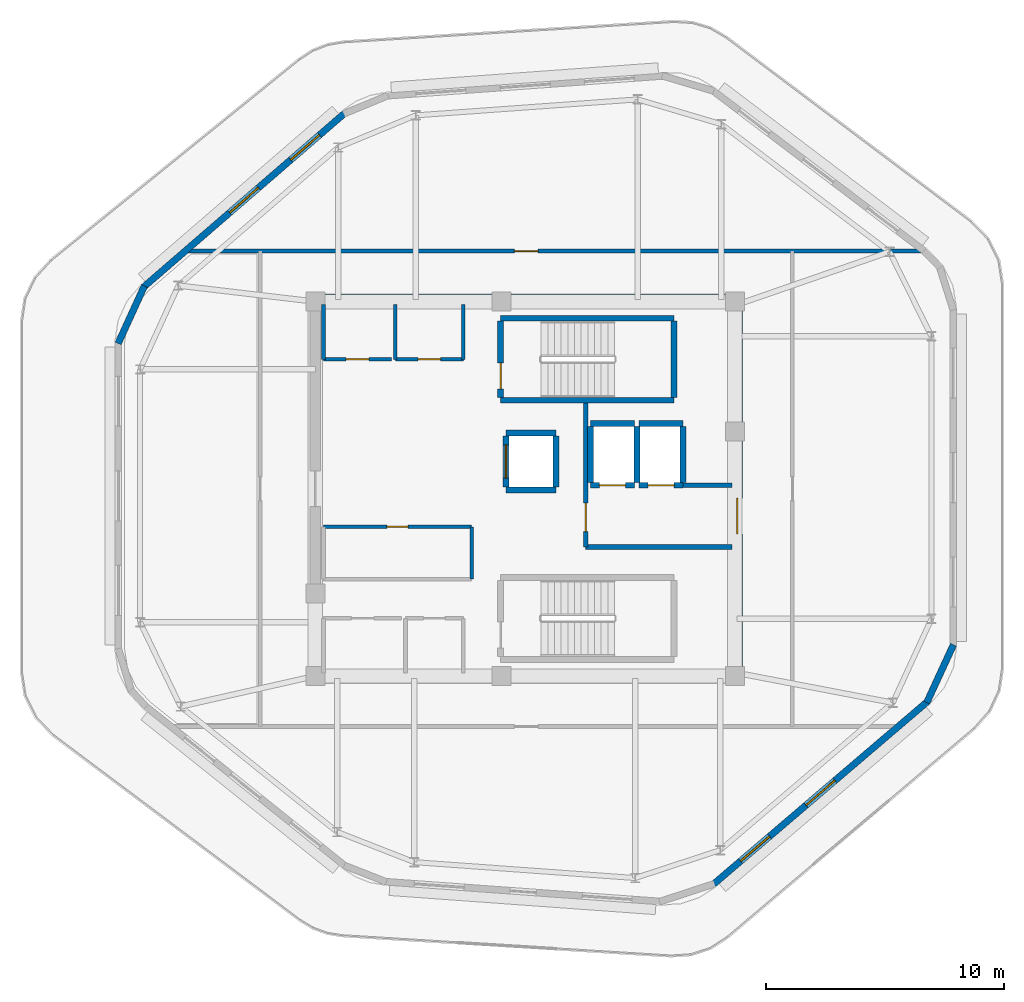
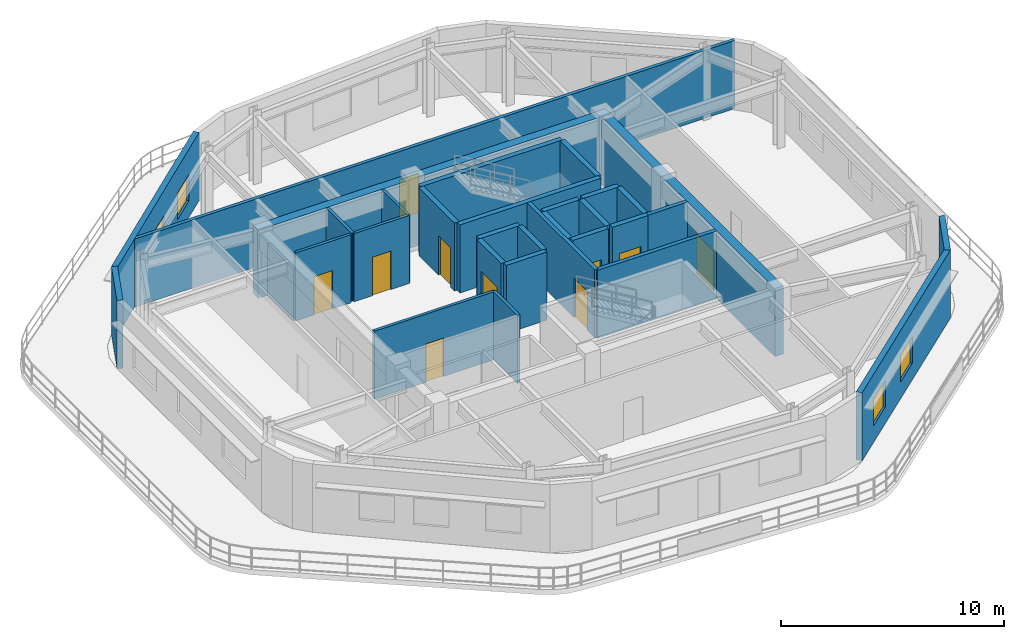
# One storey, part 3 of 7: 32 walls, 10 doors, 4 windows, 14 openings.
"""IFC4 building model written with IfcOpenShell, lengths in metres."""

from ifc_helpers import new_model, si_unit, direction, frame, frame_2d, origin, place, context, subcontext, project, spatial, rectangle, extrude, material, layer, layer_set, type_object, element, fill, save


model = new_model("IFC4")

# Units and contexts
model_context = context("Model", 3, precision=1e-05, world=origin(), true_north=direction((0.0, 1.0)))
body_context = subcontext(model_context, "Body", "Model", "MODEL_VIEW")
ifc_project = project(units=[si_unit("LENGTHUNIT", "METRE"), si_unit("AREAUNIT", "SQUARE_METRE"), si_unit("VOLUMEUNIT", "CUBIC_METRE"), si_unit("PLANEANGLEUNIT", "RADIAN"), si_unit("MASSUNIT", "GRAM", prefix="KILO")], contexts=[model_context])

# Site, building, storey
site_placement = place(None, origin())
site = spatial("IfcSite", under=ifc_project, at=site_placement, CompositionType="ELEMENT")
building_placement = place(site_placement, origin())
building = spatial("IfcBuilding", under=site, at=building_placement, Name="Zulverin Broadcast Headquarters", CompositionType="ELEMENT")
storey_placement = place(building_placement, frame((0.0, 0.0, 321.39990234375)))
storey = spatial("IfcBuildingStorey", under=building, at=storey_placement, Name="C3", CompositionType="ELEMENT", Elevation=321.39990234375)

# Wall
ifc_material_1 = material(Name="Concrete C50/60", Category="concrete")
ifc_layer_1 = layer(ifc_material_1, 0.449951171875, Name="Concrete C50/60", Category="concrete")
ifc_layer_set_1 = layer_set([ifc_layer_1], Name="Concrete C50/60")
wall_type_1 = type_object("IfcWallType", Name="WL-CORE-450", PredefinedType="SHEAR", material=ifc_layer_set_1)
wall_1_placement = place(storey_placement, frame((30.39990234375, 33.175048828125, 0.0), z_axis=(0.0, 0.0, 1.0), x_axis=(1.0, 0.0, 0.0)))
element("IfcWall", 1, at=wall_1_placement, inside=storey, type_object=wall_type_1, Name="C3 Core North Shear Wall", PredefinedType="SHEAR", context=body_context, shape_type="SweptSolid", body=[
    extrude(rectangle(XDim=18.2001953125, YDim=0.449951171875, at=frame_2d((9.10009765625, 0.0))), origin(), (0.0, 0.0, 1.0), 3.72021484375),
])

# Wall, opening, door
wall_2_placement = place(storey_placement, frame((48.375, 17.449951171875, 0.0), z_axis=(0.0, 0.0, 1.0), x_axis=(0.0, 1.0, 0.0)))
wall_2 = element("IfcWall", 2, at=wall_2_placement, inside=storey, type_object=wall_type_1, Name="C3 Core East Shear Wall", PredefinedType="SHEAR", context=body_context, shape_type="SweptSolid", body=[
    extrude(rectangle(XDim=15.5, YDim=0.449951171875, at=frame_2d((7.75, 0.0))), origin(), (0.0, 0.0, 1.0), 3.72021484375),
])
opening_1_placement = place(wall_2_placement, frame((5.85009765625, 0.0, 0.0)))
opening_1 = element("IfcOpeningElement", 3, at=opening_1_placement, cuts=wall_2, Name="Opening D-C3-CE1", PredefinedType="OPENING", context=body_context, shape_type="SweptSolid", body=[
    extrude(rectangle(XDim=1.5, YDim=2.14990234375, at=frame_2d((0.75, 1.074951171875))), frame((0.0, 0.23486328125, 0.0), z_axis=(0.0, -1.0, 0.0), x_axis=(1.0, 0.0, 0.0)), (0.0, 0.0, 1.0), 0.469970703125),
])
ifc_material_2 = material(Name="Fire-rated glazed steel frame", Category="steel")
door_type_1 = type_object("IfcDoorType", Name="DR-COR-1500", OperationType="DOUBLE_DOOR_SINGLE_SWING", PredefinedType="DOOR", material=ifc_material_2)
door_1_placement = place(opening_1_placement, origin())
door_1 = element("IfcDoor", 4, at=door_1_placement, inside=storey, type_object=door_type_1, Name="C3 Firefighting Lobby East Corridor Door", OperationType="DOUBLE_DOOR_SINGLE_SWING", OverallHeight=2.14990234375, OverallWidth=1.5, PredefinedType="DOOR", context=body_context, shape_type="SweptSolid", body=[
    extrude(rectangle(XDim=1.5, YDim=2.14990234375, at=frame_2d((0.75, 1.074951171875))), frame((0.0, 0.02490234375, 0.0), z_axis=(0.0, -1.0, 0.0), x_axis=(1.0, 0.0, 0.0)), (0.0, 0.0, 1.0), 0.050048828125),
])
fill(opening_1, door_1)

# Wall, openings, windows
ifc_material_3 = material(Name="Insulated pale-metal clad concrete spandrel C40/50", Category="concrete")
ifc_layer_2 = layer(ifc_material_3, 0.280029296875, Name="Insulated pale-metal clad concrete spandrel C40/50", Category="concrete")
ifc_layer_set_2 = layer_set([ifc_layer_2], Name="Insulated pale-metal clad concrete spandrel C40/50")
wall_type_2 = type_object("IfcWallType", Name="WL-EXT-280", PredefinedType="STANDARD", material=ifc_layer_set_2)
wall_3_placement = place(storey_placement, frame((47.371337890625, 8.558349609375, 0.0), z_axis=(0.0, 0.0, 1.0), x_axis=(0.760637685394, 0.649176641261, 0.0)))
wall_3 = element("IfcWall", 5, at=wall_3_placement, inside=storey, type_object=wall_type_2, Name="C3 Pale-Metal Clad Spandrel Wall 2", PredefinedType="STANDARD", context=body_context, shape_type="SweptSolid", body=[
    extrude(rectangle(XDim=11.85205078125, YDim=0.280029296875, at=frame_2d((5.926025390625, 0.0))), origin(), (0.0, 0.0, 1.0), 3.72021484375),
])
opening_2_placement = place(wall_3_placement, frame((1.5087890625, 0.0, 0.89990234375)))
opening_2 = element("IfcOpeningElement", 6, at=opening_2_placement, cuts=wall_3, Name="Opening W-C3-E21", PredefinedType="OPENING", context=body_context, shape_type="SweptSolid", body=[
    extrude(rectangle(XDim=1.60009765625, YDim=1.449951171875, at=frame_2d((0.800048828125, 0.72509765625))), frame((0.0, 0.14990234375, 0.0), z_axis=(0.0, -1.0, 0.0), x_axis=(1.0, 0.0, 0.0)), (0.0, 0.0, 1.0), 0.300048828125),
])
opening_3_placement = place(wall_3_placement, frame((5.1259765625, 0.0, 0.89990234375)))
opening_3 = element("IfcOpeningElement", 7, at=opening_3_placement, cuts=wall_3, Name="Opening W-C3-E22", PredefinedType="OPENING", context=body_context, shape_type="SweptSolid", body=[
    extrude(rectangle(XDim=1.60009765625, YDim=1.449951171875, at=frame_2d((0.800048828125, 0.72509765625))), frame((0.0, 0.14990234375, 0.0), z_axis=(0.0, -1.0, 0.0), x_axis=(1.0, 0.0, 0.0)), (0.0, 0.0, 1.0), 0.300048828125),
])
ifc_material_4 = material(Name="Pale anodized aluminium frame with solar-control low-E double glazing", Category="aluminium")
window_type = type_object("IfcWindowType", Name="WIN-CRN-1600", PartitioningType="SINGLE_PANEL", PredefinedType="WINDOW", material=ifc_material_4)
window_1_placement = place(opening_2_placement, origin())
window_1 = element("IfcWindow", 8, at=window_1_placement, inside=storey, type_object=window_type, Name="C3 Ribbon Glazing Window 2 1", OverallHeight=1.449951171875, OverallWidth=1.60009765625, PartitioningType="SINGLE_PANEL", PredefinedType="WINDOW", context=body_context, shape_type="SweptSolid", body=[
    extrude(rectangle(XDim=1.60009765625, YDim=1.449951171875, at=frame_2d((0.800048828125, 0.72509765625))), frame((0.0, 0.030029296875, 0.0), z_axis=(0.0, -1.0, 0.0), x_axis=(1.0, 0.0, 0.0)), (0.0, 0.0, 1.0), 0.06005859375),
])
fill(opening_2, window_1)
window_2_placement = place(opening_3_placement, origin())
window_2 = element("IfcWindow", 9, at=window_2_placement, inside=storey, type_object=window_type, Name="C3 Ribbon Glazing Window 2 2", OverallHeight=1.449951171875, OverallWidth=1.60009765625, PartitioningType="SINGLE_PANEL", PredefinedType="WINDOW", context=body_context, shape_type="SweptSolid", body=[
    extrude(rectangle(XDim=1.60009765625, YDim=1.449951171875, at=frame_2d((0.800048828125, 0.72509765625))), frame((0.0, 0.030029296875, 0.0), z_axis=(0.0, -1.0, 0.0), x_axis=(1.0, 0.0, 0.0)), (0.0, 0.0, 1.0), 0.06005859375),
])
fill(opening_3, window_2)

wall_4_placement = place(storey_placement, frame((31.85595703125, 40.999267578125, 0.0), z_axis=(0.0, 0.0, 1.0), x_axis=(-0.756468872678, -0.654029697085, 0.0)))
wall_4 = element("IfcWall", 10, at=wall_4_placement, inside=storey, type_object=wall_type_2, Name="C3 Pale-Metal Clad Spandrel Wall 6", PredefinedType="STANDARD", context=body_context, shape_type="SweptSolid", body=[
    extrude(rectangle(XDim=11.179931640625, YDim=0.280029296875, at=frame_2d((5.58984375, 0.0))), origin(), (0.0, 0.0, 1.0), 3.72021484375),
])
opening_4_placement = place(wall_4_placement, frame((1.396728515625, 0.0, 0.89990234375)))
opening_4 = element("IfcOpeningElement", 11, at=opening_4_placement, cuts=wall_4, Name="Opening W-C3-E61", PredefinedType="OPENING", context=body_context, shape_type="SweptSolid", body=[
    extrude(rectangle(XDim=1.60009765625, YDim=1.449951171875, at=frame_2d((0.800048828125, 0.72509765625))), frame((0.0, 0.14990234375, 0.0), z_axis=(0.0, -1.0, 0.0), x_axis=(1.0, 0.0, 0.0)), (0.0, 0.0, 1.0), 0.300048828125),
])
opening_5_placement = place(wall_4_placement, frame((4.7900390625, 0.0, 0.89990234375)))
opening_5 = element("IfcOpeningElement", 12, at=opening_5_placement, cuts=wall_4, Name="Opening W-C3-E62", PredefinedType="OPENING", context=body_context, shape_type="SweptSolid", body=[
    extrude(rectangle(XDim=1.60009765625, YDim=1.449951171875, at=frame_2d((0.800048828125, 0.72509765625))), frame((0.0, 0.14990234375, 0.0), z_axis=(0.0, -1.0, 0.0), x_axis=(1.0, 0.0, 0.0)), (0.0, 0.0, 1.0), 0.300048828125),
])
window_3_placement = place(opening_4_placement, origin())
window_3 = element("IfcWindow", 13, at=window_3_placement, inside=storey, type_object=window_type, Name="C3 Ribbon Glazing Window 6 1", OverallHeight=1.449951171875, OverallWidth=1.60009765625, PartitioningType="SINGLE_PANEL", PredefinedType="WINDOW", context=body_context, shape_type="SweptSolid", body=[
    extrude(rectangle(XDim=1.60009765625, YDim=1.449951171875, at=frame_2d((0.800048828125, 0.72509765625))), frame((0.0, 0.030029296875, 0.0), z_axis=(0.0, -1.0, 0.0), x_axis=(1.0, 0.0, 0.0)), (0.0, 0.0, 1.0), 0.06005859375),
])
fill(opening_4, window_3)
window_4_placement = place(opening_5_placement, origin())
window_4 = element("IfcWindow", 14, at=window_4_placement, inside=storey, type_object=window_type, Name="C3 Ribbon Glazing Window 6 2", OverallHeight=1.449951171875, OverallWidth=1.60009765625, PartitioningType="SINGLE_PANEL", PredefinedType="WINDOW", context=body_context, shape_type="SweptSolid", body=[
    extrude(rectangle(XDim=1.60009765625, YDim=1.449951171875, at=frame_2d((0.800048828125, 0.72509765625))), frame((0.0, 0.030029296875, 0.0), z_axis=(0.0, -1.0, 0.0), x_axis=(1.0, 0.0, 0.0)), (0.0, 0.0, 1.0), 0.06005859375),
])
fill(opening_5, window_4)

# Walls
wall_5_placement = place(storey_placement, frame((56.35009765625, 16.20458984375, 0.0), z_axis=(0.0, 0.0, 1.0), x_axis=(0.418902215131, 0.908031350868, 0.0)))
element("IfcWall", 15, at=wall_5_placement, inside=storey, type_object=wall_type_2, Name="C3 Wind-Shaped Corner Spandrel Wall 2-1", PredefinedType="STANDARD", context=body_context, shape_type="SweptSolid", body=[
    extrude(rectangle(XDim=2.680419921875, YDim=0.280029296875, at=frame_2d((1.34033203125, 0.0))), origin(), (0.0, 0.0, 1.0), 3.72021484375),
])
wall_6_placement = place(storey_placement, frame((23.434326171875, 33.735107421875, 0.0), z_axis=(0.0, 0.0, 1.0), x_axis=(-0.415833452509, -0.909440784094, 0.0)))
element("IfcWall", 16, at=wall_6_placement, inside=storey, type_object=wall_type_2, Name="C3 Wind-Shaped Corner Spandrel Wall 6-1", PredefinedType="STANDARD", context=body_context, shape_type="SweptSolid", body=[
    extrude(rectangle(XDim=2.661865234375, YDim=0.280029296875, at=frame_2d((1.3310546875, 0.0))), origin(), (0.0, 0.0, 1.0), 3.72021484375),
])

# Wall, opening, door
ifc_material_5 = material(Name="Concrete C40/50", Category="concrete")
ifc_layer_3 = layer(ifc_material_5, 0.199951171875, Name="Concrete C40/50", Category="concrete")
ifc_layer_set_3 = layer_set([ifc_layer_3], Name="Concrete C40/50")
wall_type_3 = type_object("IfcWallType", Name="WL-FFL-200", PredefinedType="SOLIDWALL", material=ifc_layer_set_3)
wall_7_placement = place(storey_placement, frame((42.0, 22.75, 0.0), z_axis=(0.0, 0.0, 1.0), x_axis=(0.0, 1.0, 0.0)))
wall_7 = element("IfcWall", 17, at=wall_7_placement, inside=storey, type_object=wall_type_3, Name="C3 Firefighting Lift Lobby West Wall", PredefinedType="SOLIDWALL", context=body_context, shape_type="SweptSolid", body=[
    extrude(rectangle(XDim=6.050048828125, YDim=0.199951171875, at=frame_2d((3.02490234375, 0.0))), origin(), (0.0, 0.0, 1.0), 3.72021484375),
])
opening_6_placement = place(wall_7_placement, frame((0.64990234375, 0.0, 0.0)))
opening_6 = element("IfcOpeningElement", 18, at=opening_6_placement, cuts=wall_7, Name="Opening D-C3-FFLW", PredefinedType="OPENING", context=body_context, shape_type="SweptSolid", body=[
    extrude(rectangle(XDim=1.199951171875, YDim=2.14990234375, at=frame_2d((0.60009765625, 1.074951171875))), frame((0.0, 0.10986328125, 0.0), z_axis=(0.0, -1.0, 0.0), x_axis=(1.0, 0.0, 0.0)), (0.0, 0.0, 1.0), 0.219970703125),
])
ifc_material_6 = material(Name="Fire-rated steel leaf and frame", Category="steel")
door_type_2 = type_object("IfcDoorType", Name="DR-FFL-1200", OperationType="SINGLE_SWING_RIGHT", PredefinedType="DOOR", material=ifc_material_6)
door_2_placement = place(opening_6_placement, origin())
door_2 = element("IfcDoor", 19, at=door_2_placement, inside=storey, type_object=door_type_2, Name="C3 Firefighting Lift Lobby Door", OperationType="SINGLE_SWING_RIGHT", OverallHeight=2.14990234375, OverallWidth=1.199951171875, PredefinedType="DOOR", context=body_context, shape_type="SweptSolid", body=[
    extrude(rectangle(XDim=1.199951171875, YDim=2.14990234375, at=frame_2d((0.60009765625, 1.074951171875))), frame((0.0, 0.02490234375, 0.0), z_axis=(0.0, -1.0, 0.0), x_axis=(1.0, 0.0, 0.0)), (0.0, 0.0, 1.0), 0.050048828125),
])
fill(opening_6, door_2)

# Walls
wall_8_placement = place(storey_placement, frame((42.0, 22.75, 0.0), z_axis=(0.0, 0.0, 1.0), x_axis=(1.0, 0.0, 0.0)))
element("IfcWall", 20, at=wall_8_placement, inside=storey, type_object=wall_type_3, Name="C3 Firefighting Lift Lobby South Wall", PredefinedType="SOLIDWALL", context=body_context, shape_type="SweptSolid", body=[
    extrude(rectangle(XDim=6.14990234375, YDim=0.199951171875, at=frame_2d((3.074951171875, 0.0))), origin(), (0.0, 0.0, 1.0), 3.72021484375),
])
wall_9_placement = place(storey_placement, frame((46.10009765625, 25.35009765625, 0.0), z_axis=(0.0, 0.0, 1.0), x_axis=(1.0, 0.0, 0.0)))
element("IfcWall", 21, at=wall_9_placement, inside=storey, type_object=wall_type_3, Name="C3 Firefighting Lift Lobby North Wall", PredefinedType="SOLIDWALL", context=body_context, shape_type="SweptSolid", body=[
    extrude(rectangle(XDim=2.0498046875, YDim=0.199951171875, at=frame_2d((1.02490234375, 0.0))), origin(), (0.0, 0.0, 1.0), 3.72021484375),
])

# Wall, opening, door
ifc_material_7 = material(Name="Fire-rated gypsum stud partition", Category="gypsum")
ifc_layer_4 = layer(ifc_material_7, 0.14990234375, Name="Fire-rated gypsum stud partition", Category="gypsum")
ifc_layer_set_4 = layer_set([ifc_layer_4], Name="Fire-rated gypsum stud partition")
wall_type_4 = type_object("IfcWallType", Name="WL-PART-150", PredefinedType="PARTITIONING", material=ifc_layer_set_4)
wall_10_placement = place(storey_placement, frame((30.969970703125, 30.64990234375, 0.0), z_axis=(0.0, 0.0, 1.0), x_axis=(1.0, 0.0, 0.0)))
wall_10 = element("IfcWall", 22, at=wall_10_placement, inside=storey, type_object=wall_type_4, Name="C3 Core Male WC Front Wall", PredefinedType="PARTITIONING", context=body_context, shape_type="SweptSolid", body=[
    extrude(rectangle(XDim=2.860107421875, YDim=0.14990234375, at=frame_2d((1.43017578125, 0.0))), origin(), (0.0, 0.0, 1.0), 3.72021484375),
])
opening_7_placement = place(wall_10_placement, frame((0.955078125, 0.0, 0.0)))
opening_7 = element("IfcOpeningElement", 23, at=opening_7_placement, cuts=wall_10, Name="Opening D-C3-NC1", PredefinedType="OPENING", context=body_context, shape_type="SweptSolid", body=[
    extrude(rectangle(XDim=0.949951171875, YDim=2.10009765625, at=frame_2d((0.47509765625, 1.050048828125))), frame((0.0, 0.0849609375, 0.0), z_axis=(0.0, -1.0, 0.0), x_axis=(1.0, 0.0, 0.0)), (0.0, 0.0, 1.0), 0.169921875),
])
ifc_material_8 = material(Name="Fire-rated moisture-resistant laminate leaf", Category="wood")
door_type_3 = type_object("IfcDoorType", Name="DR-WC-950", OperationType="SINGLE_SWING_LEFT", PredefinedType="DOOR", material=ifc_material_8)
door_3_placement = place(opening_7_placement, origin())
door_3 = element("IfcDoor", 24, at=door_3_placement, inside=storey, type_object=door_type_3, Name="C3 Male WC Door", OperationType="SINGLE_SWING_LEFT", OverallHeight=2.10009765625, OverallWidth=0.949951171875, PredefinedType="DOOR", context=body_context, shape_type="SweptSolid", body=[
    extrude(rectangle(XDim=0.949951171875, YDim=2.10009765625, at=frame_2d((0.47509765625, 1.050048828125))), frame((0.0, 0.02490234375, 0.0), z_axis=(0.0, -1.0, 0.0), x_axis=(1.0, 0.0, 0.0)), (0.0, 0.0, 1.0), 0.050048828125),
])
fill(opening_7, door_3)

# Wall
wall_11_placement = place(storey_placement, frame((30.969970703125, 30.64990234375, 0.0), z_axis=(0.0, 0.0, 1.0), x_axis=(0.0, 1.0, 0.0)))
element("IfcWall", 25, at=wall_11_placement, inside=storey, type_object=wall_type_4, Name="C3 Core Male WC West Wall", PredefinedType="PARTITIONING", context=body_context, shape_type="SweptSolid", body=[
    extrude(rectangle(XDim=2.300048828125, YDim=0.14990234375, at=frame_2d((1.14990234375, 0.0))), origin(), (0.0, 0.0, 1.0), 2.820068359375),
])

# Wall, opening, door
wall_12_placement = place(storey_placement, frame((33.989990234375, 30.64990234375, 0.0), z_axis=(0.0, 0.0, 1.0), x_axis=(1.0, 0.0, 0.0)))
wall_12 = element("IfcWall", 26, at=wall_12_placement, inside=storey, type_object=wall_type_4, Name="C3 Core Accessible WC Front Wall", PredefinedType="PARTITIONING", context=body_context, shape_type="SweptSolid", body=[
    extrude(rectangle(XDim=2.860107421875, YDim=0.14990234375, at=frame_2d((1.43017578125, 0.0))), origin(), (0.0, 0.0, 1.0), 3.72021484375),
])
opening_8_placement = place(wall_12_placement, frame((0.955078125, 0.0, 0.0)))
opening_8 = element("IfcOpeningElement", 27, at=opening_8_placement, cuts=wall_12, Name="Opening D-C3-NC2", PredefinedType="OPENING", context=body_context, shape_type="SweptSolid", body=[
    extrude(rectangle(XDim=0.949951171875, YDim=2.10009765625, at=frame_2d((0.47509765625, 1.050048828125))), frame((0.0, 0.0849609375, 0.0), z_axis=(0.0, -1.0, 0.0), x_axis=(1.0, 0.0, 0.0)), (0.0, 0.0, 1.0), 0.169921875),
])
door_4_placement = place(opening_8_placement, origin())
door_4 = element("IfcDoor", 28, at=door_4_placement, inside=storey, type_object=door_type_3, Name="C3 Accessible WC Door", OperationType="SINGLE_SWING_RIGHT", OverallHeight=2.10009765625, OverallWidth=0.949951171875, PredefinedType="DOOR", context=body_context, shape_type="SweptSolid", body=[
    extrude(rectangle(XDim=0.949951171875, YDim=2.10009765625, at=frame_2d((0.47509765625, 1.050048828125))), frame((0.0, 0.02490234375, 0.0), z_axis=(0.0, -1.0, 0.0), x_axis=(1.0, 0.0, 0.0)), (0.0, 0.0, 1.0), 0.050048828125),
])
fill(opening_8, door_4)

# Walls
for number, where, z_axis, x_axis, name in (
    (29, (33.989990234375, 30.64990234375, 0.0), (0.0, 0.0, 1.0), (0.0, 1.0, 0.0), "C3 Core Accessible WC West Wall"),
    (30, (36.85009765625, 30.64990234375, 0.0), (0.0, 0.0, 1.0), (0.0, 1.0, 0.0), "C3 Core Accessible WC East Wall"),
):
    element("IfcWall", number, at=place(storey_placement, frame(where, z_axis=z_axis, x_axis=x_axis)), inside=storey, type_object=wall_type_4, Name=name, PredefinedType="PARTITIONING", context=body_context, shape_type="SweptSolid", body=[
        extrude(rectangle(XDim=2.300048828125, YDim=0.14990234375, at=frame_2d((1.14990234375, 0.0))), origin(), (0.0, 0.0, 1.0), 3.72021484375),
    ])

# Wall, opening, door
wall_13_placement = place(storey_placement, frame((30.969970703125, 23.60009765625, 0.0), z_axis=(0.0, 0.0, 1.0), x_axis=(1.0, 0.0, 0.0)))
wall_13 = element("IfcWall", 31, at=wall_13_placement, inside=storey, type_object=wall_type_4, Name="C3 Optical Telemetry Hub Plant Room N Wall", PredefinedType="PARTITIONING", context=body_context, shape_type="SweptSolid", body=[
    extrude(rectangle(XDim=6.22998046875, YDim=0.14990234375, at=frame_2d((3.114990234375, 0.0))), origin(), (0.0, 0.0, 1.0), 3.72021484375),
])
opening_9_placement = place(wall_13_placement, frame((2.6650390625, 0.0, 0.0)))
opening_9 = element("IfcOpeningElement", 32, at=opening_9_placement, cuts=wall_13, Name="Opening D-C3-RM1", PredefinedType="OPENING", context=body_context, shape_type="SweptSolid", body=[
    extrude(rectangle(XDim=0.89990234375, YDim=2.10009765625, at=frame_2d((0.449951171875, 1.050048828125))), frame((0.0, 0.0849609375, 0.0), z_axis=(0.0, -1.0, 0.0), x_axis=(1.0, 0.0, 0.0)), (0.0, 0.0, 1.0), 0.169921875),
])
ifc_material_9 = material(Name="Powder-coated steel access leaf", Category="steel")
door_type_4 = type_object("IfcDoorType", Name="DR-RISER-900", OperationType="SINGLE_SWING_LEFT", PredefinedType="DOOR", material=ifc_material_9)
door_5_placement = place(opening_9_placement, origin())
door_5 = element("IfcDoor", 33, at=door_5_placement, inside=storey, type_object=door_type_4, Name="C3 Optical Telemetry Hub Plant Room Door", OperationType="SINGLE_SWING_LEFT", OverallHeight=2.10009765625, OverallWidth=0.89990234375, PredefinedType="DOOR", context=body_context, shape_type="SweptSolid", body=[
    extrude(rectangle(XDim=0.89990234375, YDim=2.10009765625, at=frame_2d((0.449951171875, 1.050048828125))), frame((0.0, 0.02490234375, 0.0), z_axis=(0.0, -1.0, 0.0), x_axis=(1.0, 0.0, 0.0)), (0.0, 0.0, 1.0), 0.050048828125),
])
fill(opening_9, door_5)

# Wall
wall_14_placement = place(storey_placement, frame((37.199951171875, 21.39990234375, 0.0), z_axis=(0.0, 0.0, 1.0), x_axis=(0.0, 1.0, 0.0)))
element("IfcWall", 34, at=wall_14_placement, inside=storey, type_object=wall_type_4, Name="C3 Optical Telemetry Hub Plant Room E Wall", PredefinedType="PARTITIONING", context=body_context, shape_type="SweptSolid", body=[
    extrude(rectangle(XDim=2.2001953125, YDim=0.14990234375, at=frame_2d((1.10009765625, 0.0))), origin(), (0.0, 0.0, 1.0), 3.72021484375),
])

# Wall, opening, door
ifc_material_10 = material(Name="Fire-rated acoustic stud wall", Category="gypsum")
ifc_layer_5 = layer(ifc_material_10, 0.175048828125, Name="Fire-rated acoustic stud wall", Category="gypsum")
ifc_layer_set_5 = layer_set([ifc_layer_5], Name="Fire-rated acoustic stud wall")
wall_type_5 = type_object("IfcWallType", Name="WL-PART-175", PredefinedType="PARTITIONING", material=ifc_layer_set_5)
wall_15_placement = place(storey_placement, frame((25.07421875, 35.199951171875, 0.0), z_axis=(0.0, 0.0, 1.0), x_axis=(1.0, 0.0, 0.0)))
wall_15 = element("IfcWall", 35, at=wall_15_placement, inside=storey, type_object=wall_type_5, Name="C3 Gallery Partition Wall CG-04", PredefinedType="PARTITIONING", context=body_context, shape_type="SweptSolid", body=[
    extrude(rectangle(XDim=31.228271484375, YDim=0.175048828125, at=frame_2d((15.6142578125, 0.0))), origin(), (0.0, 0.0, 1.0), 3.72021484375),
])
opening_10_placement = place(wall_15_placement, frame((13.92578125, 0.0, 0.0)))
opening_10 = element("IfcOpeningElement", 36, at=opening_10_placement, cuts=wall_15, Name="Opening D-C3-CR3", PredefinedType="OPENING", context=body_context, shape_type="SweptSolid", body=[
    extrude(rectangle(XDim=1.0, YDim=2.1201171875, at=frame_2d((0.5, 1.06005859375))), frame((0.0, 0.097412109375, 0.0), z_axis=(0.0, -1.0, 0.0), x_axis=(1.0, 0.0, 0.0)), (0.0, 0.0, 1.0), 0.195068359375),
])
ifc_material_11 = material(Name="Hardwood veneer acoustic leaf", Category="wood")
door_type_5 = type_object("IfcDoorType", Name="DR-OFF-1000", OperationType="SINGLE_SWING_LEFT", PredefinedType="DOOR", material=ifc_material_11)
door_6_placement = place(opening_10_placement, origin())
door_6 = element("IfcDoor", 37, at=door_6_placement, inside=storey, type_object=door_type_5, Name="C3 Crown Cooling & Chiller Plant Room Door", OperationType="SINGLE_SWING_RIGHT", OverallHeight=2.1201171875, OverallWidth=1.0, PredefinedType="DOOR", context=body_context, shape_type="SweptSolid", body=[
    extrude(rectangle(XDim=1.0, YDim=2.1201171875, at=frame_2d((0.5, 1.06005859375))), frame((0.0, 0.02490234375, 0.0), z_axis=(0.0, -1.0, 0.0), x_axis=(1.0, 0.0, 0.0)), (0.0, 0.0, 1.0), 0.050048828125),
])
fill(opening_10, door_6)

# Walls
ifc_layer_6 = layer(ifc_material_1, 0.25, Name="Concrete C50/60", Category="concrete")
ifc_layer_set_6 = layer_set([ifc_layer_6], Name="Concrete C50/60")
wall_type_6 = type_object("IfcWallType", Name="WL-SHAFT-250", PredefinedType="SHEAR", material=ifc_layer_set_6)
for number, where, z_axis, x_axis, name in (
    (38, (38.425048828125, 28.925048828125, 0.0), (0.0, 0.0, 1.0), (1.0, 0.0, 0.0), "C3 ST-1 Enclosure Wall S"),
    (39, (38.425048828125, 32.375, 0.0), (0.0, 0.0, 1.0), (1.0, 0.0, 0.0), "C3 ST-1 Enclosure Wall N"),
):
    element("IfcWall", number, at=place(storey_placement, frame(where, z_axis=z_axis, x_axis=x_axis)), inside=storey, type_object=wall_type_6, Name=name, PredefinedType="SHEAR", context=body_context, shape_type="SweptSolid", body=[
        extrude(rectangle(XDim=7.300048828125, YDim=0.25, at=frame_2d((3.64990234375, 0.0))), origin(), (0.0, 0.0, 1.0), 3.72021484375),
    ])

# Wall, opening, door
wall_16_placement = place(storey_placement, frame((38.425048828125, 29.050048828125, 0.0), z_axis=(0.0, 0.0, 1.0), x_axis=(0.0, 1.0, 0.0)))
wall_16 = element("IfcWall", 40, at=wall_16_placement, inside=storey, type_object=wall_type_6, Name="C3 ST-1 Enclosure Wall W", PredefinedType="SHEAR", context=body_context, shape_type="SweptSolid", body=[
    extrude(rectangle(XDim=3.199951171875, YDim=0.25, at=frame_2d((1.60009765625, 0.0))), origin(), (0.0, 0.0, 1.0), 3.72021484375),
])
opening_11_placement = place(wall_16_placement, frame((0.35009765625, 0.0, 0.0)))
opening_11 = element("IfcOpeningElement", 41, at=opening_11_placement, cuts=wall_16, Name="Opening D-C3-ST-1", PredefinedType="OPENING", context=body_context, shape_type="SweptSolid", body=[
    extrude(rectangle(XDim=1.10009765625, YDim=2.14990234375, at=frame_2d((0.550048828125, 1.074951171875))), frame((0.0, 0.135009765625, 0.0), z_axis=(0.0, -1.0, 0.0), x_axis=(1.0, 0.0, 0.0)), (0.0, 0.0, 1.0), 0.27001953125),
])
door_type_6 = type_object("IfcDoorType", Name="DR-STAIR-1100", OperationType="SINGLE_SWING_LEFT", PredefinedType="DOOR", material=ifc_material_6)
door_7_placement = place(opening_11_placement, origin())
door_7 = element("IfcDoor", 42, at=door_7_placement, inside=storey, type_object=door_type_6, Name="C3 Exit Stair ST-1 Fire Door", OperationType="SINGLE_SWING_LEFT", OverallHeight=2.14990234375, OverallWidth=1.10009765625, PredefinedType="DOOR", context=body_context, shape_type="SweptSolid", body=[
    extrude(rectangle(XDim=1.10009765625, YDim=2.14990234375, at=frame_2d((0.550048828125, 1.074951171875))), frame((0.0, 0.02490234375, 0.0), z_axis=(0.0, -1.0, 0.0), x_axis=(1.0, 0.0, 0.0)), (0.0, 0.0, 1.0), 0.050048828125),
])
fill(opening_11, door_7)

# Wall
wall_17_placement = place(storey_placement, frame((45.72509765625, 29.050048828125, 0.0), z_axis=(0.0, 0.0, 1.0), x_axis=(0.0, 1.0, 0.0)))
element("IfcWall", 43, at=wall_17_placement, inside=storey, type_object=wall_type_6, Name="C3 ST-1 Enclosure Wall E", PredefinedType="SHEAR", context=body_context, shape_type="SweptSolid", body=[
    extrude(rectangle(XDim=3.199951171875, YDim=0.25, at=frame_2d((1.60009765625, 0.0))), origin(), (0.0, 0.0, 1.0), 3.72021484375),
])

# Wall, opening, door
wall_18_placement = place(storey_placement, frame((42.199951171875, 25.35009765625, 0.0), z_axis=(0.0, 0.0, 1.0), x_axis=(1.0, 0.0, 0.0)))
wall_18 = element("IfcWall", 44, at=wall_18_placement, inside=storey, type_object=wall_type_6, Name="C3 Lift FFL-1 Shaft Wall S", PredefinedType="SHEAR", context=body_context, shape_type="SweptSolid", body=[
    extrude(rectangle(XDim=1.85009765625, YDim=0.25, at=frame_2d((0.925048828125, 0.0))), origin(), (0.0, 0.0, 1.0), 3.72021484375),
])
opening_12_placement = place(wall_18_placement, frame((0.375, 0.0, 0.0)))
opening_12 = element("IfcOpeningElement", 45, at=opening_12_placement, cuts=wall_18, Name="Opening LD-FFL-1-C3", PredefinedType="OPENING", context=body_context, shape_type="SweptSolid", body=[
    extrude(rectangle(XDim=1.10009765625, YDim=2.14990234375, at=frame_2d((0.550048828125, 1.074951171875))), frame((0.0, 0.135009765625, 0.0), z_axis=(0.0, -1.0, 0.0), x_axis=(1.0, 0.0, 0.0)), (0.0, 0.0, 1.0), 0.27001953125),
])
ifc_material_12 = material(Name="Fire-rated stainless landing door", Category="steel")
door_type_7 = type_object("IfcDoorType", Name="LD-FFL-1100", OperationType="DOUBLE_DOOR_SLIDING", PredefinedType="DOOR", material=ifc_material_12)
door_8_placement = place(opening_12_placement, origin())
door_8 = element("IfcDoor", 46, at=door_8_placement, inside=storey, type_object=door_type_7, Name="C3 Lift FFL-1 Sliding Landing Door", OperationType="DOUBLE_DOOR_SLIDING", OverallHeight=2.14990234375, OverallWidth=1.10009765625, PredefinedType="DOOR", context=body_context, shape_type="SweptSolid", body=[
    extrude(rectangle(XDim=1.10009765625, YDim=2.14990234375, at=frame_2d((0.550048828125, 1.074951171875))), frame((0.0, 0.02490234375, 0.0), z_axis=(0.0, -1.0, 0.0), x_axis=(1.0, 0.0, 0.0)), (0.0, 0.0, 1.0), 0.050048828125),
])
fill(opening_12, door_8)

# Walls
wall_19_placement = place(storey_placement, frame((42.199951171875, 27.949951171875, 0.0), z_axis=(0.0, 0.0, 1.0), x_axis=(1.0, 0.0, 0.0)))
element("IfcWall", 47, at=wall_19_placement, inside=storey, type_object=wall_type_6, Name="C3 Lift FFL-1 Shaft Wall N", PredefinedType="SHEAR", context=body_context, shape_type="SweptSolid", body=[
    extrude(rectangle(XDim=1.85009765625, YDim=0.25, at=frame_2d((0.925048828125, 0.0))), origin(), (0.0, 0.0, 1.0), 3.72021484375),
])
for number, where, z_axis, x_axis, name in (
    (48, (42.199951171875, 25.469970703125, 0.0), (0.0, 0.0, 1.0), (0.0, 1.0, 0.0), "C3 Lift FFL-1 Shaft Wall W"),
    (49, (44.14990234375, 25.469970703125, 0.0), (0.0, 0.0, 1.0), (0.0, 1.0, 0.0), "C3 Lift FFL-1 Shaft Wall E"),
):
    element("IfcWall", number, at=place(storey_placement, frame(where, z_axis=z_axis, x_axis=x_axis)), inside=storey, type_object=wall_type_6, Name=name, PredefinedType="SHEAR", context=body_context, shape_type="SweptSolid", body=[
        extrude(rectangle(XDim=2.360107421875, YDim=0.25, at=frame_2d((1.18017578125, 0.0))), origin(), (0.0, 0.0, 1.0), 3.72021484375),
    ])

# Wall, opening, door
wall_20_placement = place(storey_placement, frame((44.25, 25.35009765625, 0.0), z_axis=(0.0, 0.0, 1.0), x_axis=(1.0, 0.0, 0.0)))
wall_20 = element("IfcWall", 50, at=wall_20_placement, inside=storey, type_object=wall_type_6, Name="C3 Lift FFL-2 Shaft Wall S", PredefinedType="SHEAR", context=body_context, shape_type="SweptSolid", body=[
    extrude(rectangle(XDim=1.85009765625, YDim=0.25, at=frame_2d((0.925048828125, 0.0))), origin(), (0.0, 0.0, 1.0), 3.72021484375),
])
opening_13_placement = place(wall_20_placement, frame((0.375, 0.0, 0.0)))
opening_13 = element("IfcOpeningElement", 51, at=opening_13_placement, cuts=wall_20, Name="Opening LD-FFL-2-C3", PredefinedType="OPENING", context=body_context, shape_type="SweptSolid", body=[
    extrude(rectangle(XDim=1.10009765625, YDim=2.14990234375, at=frame_2d((0.550048828125, 1.074951171875))), frame((0.0, 0.135009765625, 0.0), z_axis=(0.0, -1.0, 0.0), x_axis=(1.0, 0.0, 0.0)), (0.0, 0.0, 1.0), 0.27001953125),
])
door_9_placement = place(opening_13_placement, origin())
door_9 = element("IfcDoor", 52, at=door_9_placement, inside=storey, type_object=door_type_7, Name="C3 Lift FFL-2 Sliding Landing Door", OperationType="DOUBLE_DOOR_SLIDING", OverallHeight=2.14990234375, OverallWidth=1.10009765625, PredefinedType="DOOR", context=body_context, shape_type="SweptSolid", body=[
    extrude(rectangle(XDim=1.10009765625, YDim=2.14990234375, at=frame_2d((0.550048828125, 1.074951171875))), frame((0.0, 0.02490234375, 0.0), z_axis=(0.0, -1.0, 0.0), x_axis=(1.0, 0.0, 0.0)), (0.0, 0.0, 1.0), 0.050048828125),
])
fill(opening_13, door_9)

# Walls
wall_21_placement = place(storey_placement, frame((44.25, 27.949951171875, 0.0), z_axis=(0.0, 0.0, 1.0), x_axis=(1.0, 0.0, 0.0)))
element("IfcWall", 53, at=wall_21_placement, inside=storey, type_object=wall_type_6, Name="C3 Lift FFL-2 Shaft Wall N", PredefinedType="SHEAR", context=body_context, shape_type="SweptSolid", body=[
    extrude(rectangle(XDim=1.85009765625, YDim=0.25, at=frame_2d((0.925048828125, 0.0))), origin(), (0.0, 0.0, 1.0), 3.72021484375),
])
wall_22_placement = place(storey_placement, frame((46.10009765625, 25.469970703125, 0.0), z_axis=(0.0, 0.0, 1.0), x_axis=(0.0, 1.0, 0.0)))
element("IfcWall", 54, at=wall_22_placement, inside=storey, type_object=wall_type_6, Name="C3 Lift FFL-2 Shaft Wall E", PredefinedType="SHEAR", context=body_context, shape_type="SweptSolid", body=[
    extrude(rectangle(XDim=2.360107421875, YDim=0.25, at=frame_2d((1.18017578125, 0.0))), origin(), (0.0, 0.0, 1.0), 3.72021484375),
])
for number, where, z_axis, x_axis, name in (
    (55, (38.64990234375, 25.14990234375, 0.0), (0.0, 0.0, 1.0), (1.0, 0.0, 0.0), "C3 Lift SVL-1 Shaft Wall S"),
    (56, (38.64990234375, 27.550048828125, 0.0), (0.0, 0.0, 1.0), (1.0, 0.0, 0.0), "C3 Lift SVL-1 Shaft Wall N"),
):
    element("IfcWall", number, at=place(storey_placement, frame(where, z_axis=z_axis, x_axis=x_axis)), inside=storey, type_object=wall_type_6, Name=name, PredefinedType="SHEAR", context=body_context, shape_type="SweptSolid", body=[
        extrude(rectangle(XDim=2.10009765625, YDim=0.25, at=frame_2d((1.050048828125, 0.0))), origin(), (0.0, 0.0, 1.0), 3.72021484375),
    ])

# Wall, opening, door
wall_23_placement = place(storey_placement, frame((38.64990234375, 25.27001953125, 0.0), z_axis=(0.0, 0.0, 1.0), x_axis=(0.0, 1.0, 0.0)))
wall_23 = element("IfcWall", 57, at=wall_23_placement, inside=storey, type_object=wall_type_6, Name="C3 Lift SVL-1 Shaft Wall W", PredefinedType="SHEAR", context=body_context, shape_type="SweptSolid", body=[
    extrude(rectangle(XDim=2.159912109375, YDim=0.25, at=frame_2d((1.080078125, 0.0))), origin(), (0.0, 0.0, 1.0), 3.72021484375),
])
opening_14_placement = place(wall_23_placement, frame((0.3798828125, 0.0, 0.0)))
opening_14 = element("IfcOpeningElement", 58, at=opening_14_placement, cuts=wall_23, Name="Opening LD-SVL-1-C3", PredefinedType="OPENING", context=body_context, shape_type="SweptSolid", body=[
    extrude(rectangle(XDim=1.39990234375, YDim=2.199951171875, at=frame_2d((0.699951171875, 1.10009765625))), frame((0.0, 0.135009765625, 0.0), z_axis=(0.0, -1.0, 0.0), x_axis=(1.0, 0.0, 0.0)), (0.0, 0.0, 1.0), 0.27001953125),
])
ifc_material_13 = material(Name="Heavy-duty stainless landing door", Category="steel")
door_type_8 = type_object("IfcDoorType", Name="LD-GOODS-1400", OperationType="DOUBLE_DOOR_SLIDING", PredefinedType="DOOR", material=ifc_material_13)
door_10_placement = place(opening_14_placement, origin())
door_10 = element("IfcDoor", 59, at=door_10_placement, inside=storey, type_object=door_type_8, Name="C3 Lift SVL-1 Sliding Landing Door", OperationType="DOUBLE_DOOR_SLIDING", OverallHeight=2.199951171875, OverallWidth=1.39990234375, PredefinedType="DOOR", context=body_context, shape_type="SweptSolid", body=[
    extrude(rectangle(XDim=1.39990234375, YDim=2.199951171875, at=frame_2d((0.699951171875, 1.10009765625))), frame((0.0, 0.02490234375, 0.0), z_axis=(0.0, -1.0, 0.0), x_axis=(1.0, 0.0, 0.0)), (0.0, 0.0, 1.0), 0.050048828125),
])
fill(opening_14, door_10)

# Wall
wall_24_placement = place(storey_placement, frame((40.75, 25.27001953125, 0.0), z_axis=(0.0, 0.0, 1.0), x_axis=(0.0, 1.0, 0.0)))
element("IfcWall", 60, at=wall_24_placement, inside=storey, type_object=wall_type_6, Name="C3 Lift SVL-1 Shaft Wall E", PredefinedType="SHEAR", context=body_context, shape_type="SweptSolid", body=[
    extrude(rectangle(XDim=2.159912109375, YDim=0.25, at=frame_2d((1.080078125, 0.0))), origin(), (0.0, 0.0, 1.0), 3.72021484375),
])

save(model, "model.ifc")
